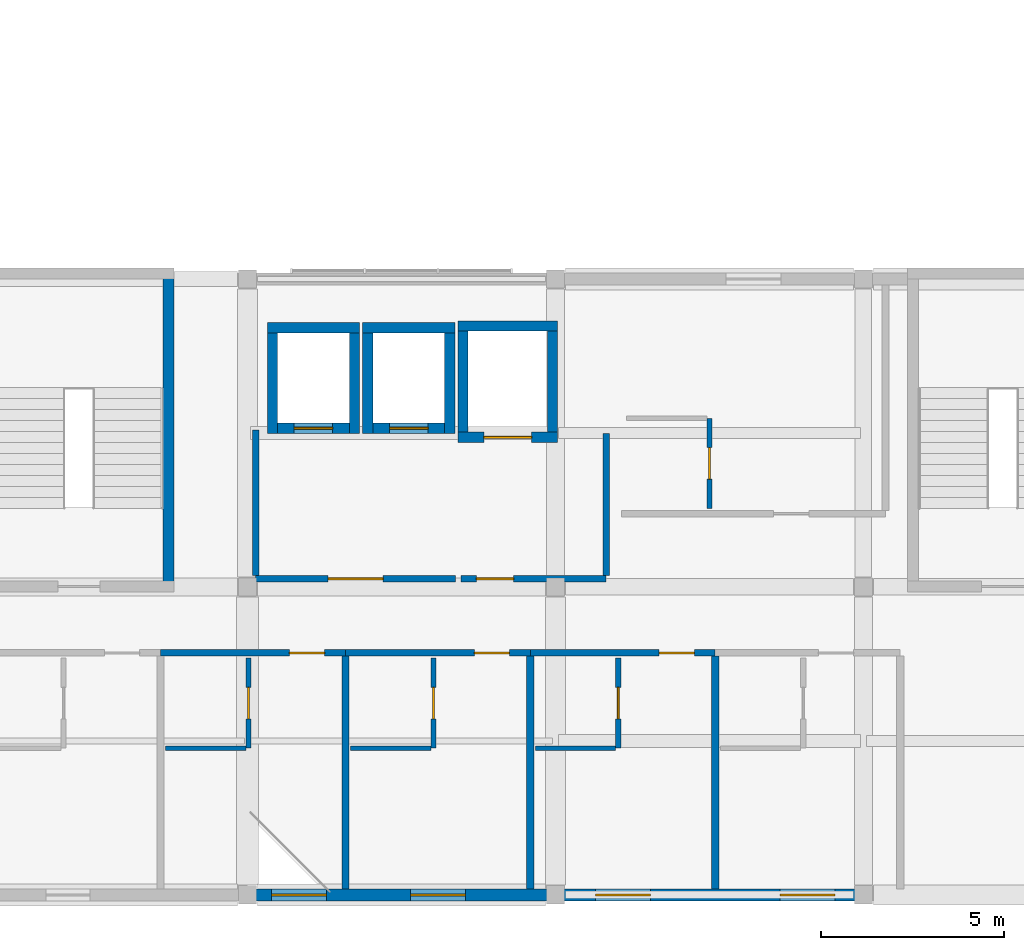
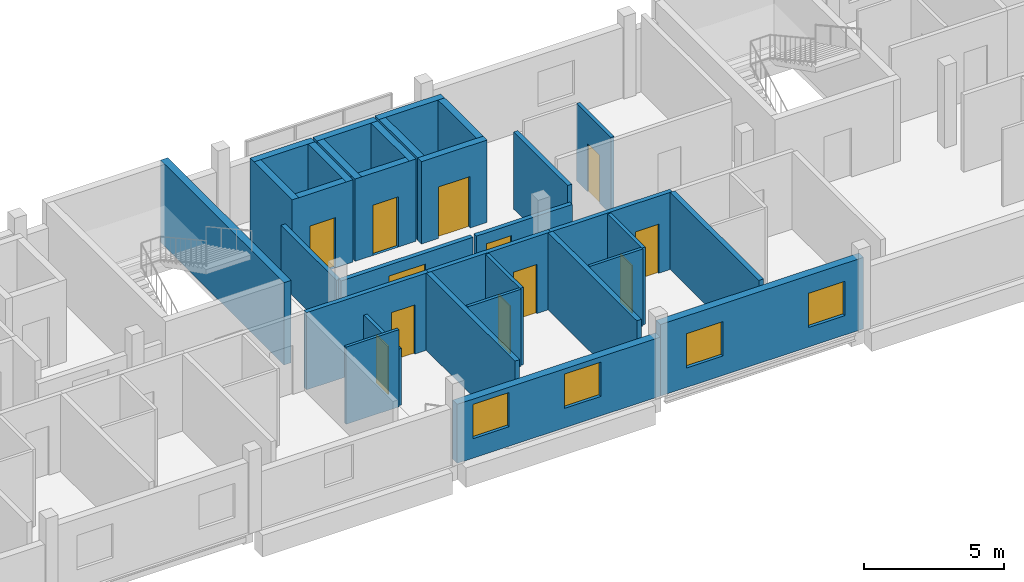
# One storey, part 15 of 20: 32 walls, 12 doors, 4 windows, 16 openings.
"""IFC4 building model written with IfcOpenShell, lengths in metres."""

from ifc_helpers import new_model, si_unit, derived_unit, direction, frame, frame_2d, origin, place, context, subcontext, project, spatial, rectangle, extrude, material, layer, layer_set, type_object, element, fill, save


model = new_model("IFC4")

# Units and contexts
model_context = context("Model", 3, precision=1e-05, world=origin(), true_north=direction((0.0, 1.0)))
body_context = subcontext(model_context, "Body", "Model", "MODEL_VIEW")
ifc_project = project(units=[si_unit("LENGTHUNIT", "METRE"), si_unit("AREAUNIT", "SQUARE_METRE"), si_unit("VOLUMEUNIT", "CUBIC_METRE"), si_unit("PLANEANGLEUNIT", "RADIAN"), si_unit("MASSUNIT", "GRAM", prefix="KILO"), derived_unit("THERMALTRANSMITTANCEUNIT", [(si_unit("POWERUNIT", "WATT"), 1), (si_unit("LENGTHUNIT", "METRE"), -2), (si_unit("THERMODYNAMICTEMPERATUREUNIT", "KELVIN"), -1)])], contexts=[model_context])

# Site, building, storey
site_placement = place(None, origin())
site = spatial("IfcSite", under=ifc_project, at=site_placement, CompositionType="ELEMENT")
building_placement = place(site_placement, origin())
building = spatial("IfcBuilding", under=site, at=building_placement, Name="Barrovel Congress Hotel", CompositionType="ELEMENT")
storey_placement = place(building_placement, frame((0.0, 0.0, 39.89990234375)))
storey = spatial("IfcBuildingStorey", under=building, at=storey_placement, Name="L10", CompositionType="ELEMENT", Elevation=39.89990234375)

# Wall, openings, windows
ifc_material_1 = material(Name="Fired Clay Brick Masonry", Category="masonry")
ifc_layer_1 = layer(ifc_material_1, 0.320068359375)
ifc_layer_set_1 = layer_set([ifc_layer_1], Name="Fired Clay Brick Masonry")
wall_type_1 = type_object("IfcWallType", Name="EW-BRK320", PredefinedType="STANDARD", material=ifc_layer_set_1)
wall_1_placement = place(storey_placement, frame((84.0, 4.199951171875, 0.0), z_axis=(0.0, 0.0, 1.0), x_axis=(1.0, 0.0, 0.0)))
wall_1 = element("IfcWall", 1, at=wall_1_placement, inside=storey, type_object=wall_type_1, Name="EW:L10:HS-S:P08", PredefinedType="STANDARD", context=body_context, shape_type="SweptSolid", body=[
    extrude(rectangle(XDim=8.39990234375, YDim=0.320068359375, at=frame_2d((4.199951171875, 0.0))), origin(), (0.0, 0.0, 1.0), 2.580078125),
])
opening_1_placement = place(wall_1_placement, frame((0.64990234375, 0.0, 0.85009765625)))
opening_1 = element("IfcOpeningElement", 2, at=opening_1_placement, cuts=wall_1, Name="Opening WN-07", PredefinedType="OPENING", context=body_context, shape_type="SweptSolid", body=[
    extrude(rectangle(XDim=1.5, YDim=1.5, at=frame_2d((0.75, 0.75))), frame((0.0, 0.169921875, 0.0), z_axis=(0.0, -1.0, 0.0), x_axis=(1.0, 0.0, 0.0)), (0.0, 0.0, 1.0), 0.340087890625),
])
opening_2_placement = place(wall_1_placement, frame((4.44287109375, 0.0, 0.85009765625)))
opening_2 = element("IfcOpeningElement", 3, at=opening_2_placement, cuts=wall_1, Name="Opening WN-07", PredefinedType="OPENING", context=body_context, shape_type="SweptSolid", body=[
    extrude(rectangle(XDim=1.5, YDim=1.5, at=frame_2d((0.75, 0.75))), frame((0.0, 0.169921875, 0.0), z_axis=(0.0, -1.0, 0.0), x_axis=(1.0, 0.0, 0.0)), (0.0, 0.0, 1.0), 0.340087890625),
])
ifc_material_2 = material(Name="Double Low-E Insulated Glazing", Category="glass")
window_type = type_object("IfcWindowType", Name="WIN-WN-07", PartitioningType="SINGLE_PANEL", PredefinedType="WINDOW", material=ifc_material_2)
window_1_placement = place(opening_1_placement, origin())
window_1 = element("IfcWindow", 4, at=window_1_placement, inside=storey, type_object=window_type, Name="WIN:L10:U12", OverallHeight=1.5, OverallWidth=1.5, PartitioningType="SINGLE_PANEL", PredefinedType="WINDOW", context=body_context, shape_type="SweptSolid", body=[
    extrude(rectangle(XDim=1.5, YDim=1.5, at=frame_2d((0.75, 0.75))), frame((0.0, 0.030029296875, 0.0), z_axis=(0.0, -1.0, 0.0), x_axis=(1.0, 0.0, 0.0)), (0.0, 0.0, 1.0), 0.06005859375),
])
fill(opening_1, window_1)
window_2_placement = place(opening_2_placement, origin())
window_2 = element("IfcWindow", 5, at=window_2_placement, inside=storey, type_object=window_type, Name="WIN:L10:U13", OverallHeight=1.5, OverallWidth=1.5, PartitioningType="SINGLE_PANEL", PredefinedType="WINDOW", context=body_context, shape_type="SweptSolid", body=[
    extrude(rectangle(XDim=1.5, YDim=1.5, at=frame_2d((0.75, 0.75))), frame((0.0, 0.030029296875, 0.0), z_axis=(0.0, -1.0, 0.0), x_axis=(1.0, 0.0, 0.0)), (0.0, 0.0, 1.0), 0.06005859375),
])
fill(opening_2, window_2)

wall_2_placement = place(storey_placement, frame((92.39990234375, 4.199951171875, 0.0), z_axis=(0.0, 0.0, 1.0), x_axis=(1.0, 0.0, 0.0)))
wall_2 = element("IfcWall", 6, at=wall_2_placement, inside=storey, type_object=wall_type_1, Name="EW:L10:HS-S:P09", PredefinedType="STANDARD", context=body_context, shape_type="SweptSolid", body=[
    extrude(rectangle(XDim=8.400146484375, YDim=0.320068359375, at=frame_2d((4.2001953125, 0.0))), origin(), (0.0, 0.0, 1.0), 3.1259765625),
])
opening_3_placement = place(wall_2_placement, frame((1.085693359375, 0.0, 0.85009765625)))
opening_3 = element("IfcOpeningElement", 7, at=opening_3_placement, cuts=wall_2, Name="Opening WN-07", PredefinedType="OPENING", context=body_context, shape_type="SweptSolid", body=[
    extrude(rectangle(XDim=1.5, YDim=1.5, at=frame_2d((0.75, 0.75))), frame((0.0, 0.169921875, 0.0), z_axis=(0.0, -1.0, 0.0), x_axis=(1.0, 0.0, 0.0)), (0.0, 0.0, 1.0), 0.340087890625),
])
opening_4_placement = place(wall_2_placement, frame((6.12841796875, 0.0, 0.85009765625)))
opening_4 = element("IfcOpeningElement", 8, at=opening_4_placement, cuts=wall_2, Name="Opening WN-07", PredefinedType="OPENING", context=body_context, shape_type="SweptSolid", body=[
    extrude(rectangle(XDim=1.5, YDim=1.5, at=frame_2d((0.75, 0.75))), frame((0.0, 0.169921875, 0.0), z_axis=(0.0, -1.0, 0.0), x_axis=(1.0, 0.0, 0.0)), (0.0, 0.0, 1.0), 0.340087890625),
])
window_3_placement = place(opening_3_placement, origin())
window_3 = element("IfcWindow", 9, at=window_3_placement, inside=storey, type_object=window_type, Name="WIN:L10:U14", OverallHeight=1.5, OverallWidth=1.5, PartitioningType="SINGLE_PANEL", PredefinedType="WINDOW", context=body_context, shape_type="SweptSolid", body=[
    extrude(rectangle(XDim=1.5, YDim=1.5, at=frame_2d((0.75, 0.75))), frame((0.0, 0.030029296875, 0.0), z_axis=(0.0, -1.0, 0.0), x_axis=(1.0, 0.0, 0.0)), (0.0, 0.0, 1.0), 0.06005859375),
])
fill(opening_3, window_3)
window_4_placement = place(opening_4_placement, origin())
window_4 = element("IfcWindow", 10, at=window_4_placement, inside=storey, type_object=window_type, Name="WIN:L10:U15", OverallHeight=1.5, OverallWidth=1.5, PartitioningType="SINGLE_PANEL", PredefinedType="WINDOW", context=body_context, shape_type="SweptSolid", body=[
    extrude(rectangle(XDim=1.5, YDim=1.5, at=frame_2d((0.75, 0.75))), frame((0.0, 0.030029296875, 0.0), z_axis=(0.0, -1.0, 0.0), x_axis=(1.0, 0.0, 0.0)), (0.0, 0.0, 1.0), 0.06005859375),
])
fill(opening_4, window_4)

# Wall, opening, door
ifc_material_3 = material(Name="Gypsum Acoustic Stud", Category="gypsum")
ifc_layer_2 = layer(ifc_material_3, 0.179931640625)
ifc_layer_set_2 = layer_set([ifc_layer_2], Name="Gypsum Acoustic Stud")
wall_type_2 = type_object("IfcWallType", Name="PW-ACU-180", PredefinedType="PARTITIONING", material=ifc_layer_set_2)
wall_3_placement = place(storey_placement, frame((81.628662109375, 10.800048828125, 0.0), z_axis=(0.0, 0.0, 1.0), x_axis=(1.0, 0.0, 0.0)))
wall_3 = element("IfcWall", 11, at=wall_3_placement, inside=storey, type_object=wall_type_2, Name="PW:L10:U12:COR", PredefinedType="PARTITIONING", context=body_context, shape_type="SweptSolid", body=[
    extrude(rectangle(XDim=5.042724609375, YDim=0.179931640625, at=frame_2d((2.521484375, 0.0))), origin(), (0.0, 0.0, 1.0), 3.375),
])
opening_5_placement = place(wall_3_placement, frame((3.513427734375, 0.0, 0.0)))
opening_5 = element("IfcOpeningElement", 12, at=opening_5_placement, cuts=wall_3, Name="Opening ID-HTL", PredefinedType="OPENING", context=body_context, shape_type="SweptSolid", body=[
    extrude(rectangle(XDim=0.9599609375, YDim=2.14990234375, at=frame_2d((0.47998046875, 1.074951171875))), frame((0.0, 0.10009765625, 0.0), z_axis=(0.0, -1.0, 0.0), x_axis=(1.0, 0.0, 0.0)), (0.0, 0.0, 1.0), 0.199951171875),
])
ifc_material_4 = material(Name="Solid Oak Acoustic Timber Door", Category="wood")
door_type_1 = type_object("IfcDoorType", Name="IDR-ID-HTL", OperationType="NOTDEFINED", PredefinedType="DOOR", material=ifc_material_4)
door_1_placement = place(opening_5_placement, origin())
door_1 = element("IfcDoor", 13, at=door_1_placement, inside=storey, type_object=door_type_1, Name="DR:L10:U12:ENT", OperationType="SINGLE_SWING_RIGHT", OverallHeight=2.14990234375, OverallWidth=0.9599609375, PredefinedType="DOOR", context=body_context, shape_type="SweptSolid", body=[
    extrude(rectangle(XDim=0.9599609375, YDim=2.14990234375, at=frame_2d((0.47998046875, 1.074951171875))), frame((0.0, 0.02490234375, 0.0), z_axis=(0.0, -1.0, 0.0), x_axis=(1.0, 0.0, 0.0)), (0.0, 0.0, 1.0), 0.050048828125),
])
fill(opening_5, door_1)

wall_4_placement = place(storey_placement, frame((86.67138671875, 10.800048828125, 0.0), z_axis=(0.0, 0.0, 1.0), x_axis=(1.0, 0.0, 0.0)))
wall_4 = element("IfcWall", 14, at=wall_4_placement, inside=storey, type_object=wall_type_2, Name="PW:L10:U13:COR", PredefinedType="PARTITIONING", context=body_context, shape_type="SweptSolid", body=[
    extrude(rectangle(XDim=5.04296875, YDim=0.179931640625, at=frame_2d((2.521484375, 0.0))), origin(), (0.0, 0.0, 1.0), 3.375),
])
opening_6_placement = place(wall_4_placement, frame((3.513671875, 0.0, 0.0)))
opening_6 = element("IfcOpeningElement", 15, at=opening_6_placement, cuts=wall_4, Name="Opening ID-HTL", PredefinedType="OPENING", context=body_context, shape_type="SweptSolid", body=[
    extrude(rectangle(XDim=0.9599609375, YDim=2.14990234375, at=frame_2d((0.47998046875, 1.074951171875))), frame((0.0, 0.10009765625, 0.0), z_axis=(0.0, -1.0, 0.0), x_axis=(1.0, 0.0, 0.0)), (0.0, 0.0, 1.0), 0.199951171875),
])
door_2_placement = place(opening_6_placement, origin())
door_2 = element("IfcDoor", 16, at=door_2_placement, inside=storey, type_object=door_type_1, Name="DR:L10:U13:ENT", OperationType="SINGLE_SWING_RIGHT", OverallHeight=2.14990234375, OverallWidth=0.9599609375, PredefinedType="DOOR", context=body_context, shape_type="SweptSolid", body=[
    extrude(rectangle(XDim=0.9599609375, YDim=2.14990234375, at=frame_2d((0.47998046875, 1.074951171875))), frame((0.0, 0.02490234375, 0.0), z_axis=(0.0, -1.0, 0.0), x_axis=(1.0, 0.0, 0.0)), (0.0, 0.0, 1.0), 0.050048828125),
])
fill(opening_6, door_2)

wall_5_placement = place(storey_placement, frame((91.71435546875, 10.800048828125, 0.0), z_axis=(0.0, 0.0, 1.0), x_axis=(1.0, 0.0, 0.0)))
wall_5 = element("IfcWall", 17, at=wall_5_placement, inside=storey, type_object=wall_type_2, Name="PW:L10:U14:COR", PredefinedType="PARTITIONING", context=body_context, shape_type="SweptSolid", body=[
    extrude(rectangle(XDim=5.042724609375, YDim=0.179931640625, at=frame_2d((2.521484375, 0.0))), origin(), (0.0, 0.0, 1.0), 3.375),
])
opening_7_placement = place(wall_5_placement, frame((3.513427734375, 0.0, 0.0)))
opening_7 = element("IfcOpeningElement", 18, at=opening_7_placement, cuts=wall_5, Name="Opening ID-HTL", PredefinedType="OPENING", context=body_context, shape_type="SweptSolid", body=[
    extrude(rectangle(XDim=0.9599609375, YDim=2.14990234375, at=frame_2d((0.47998046875, 1.074951171875))), frame((0.0, 0.10009765625, 0.0), z_axis=(0.0, -1.0, 0.0), x_axis=(1.0, 0.0, 0.0)), (0.0, 0.0, 1.0), 0.199951171875),
])
door_3_placement = place(opening_7_placement, origin())
door_3 = element("IfcDoor", 19, at=door_3_placement, inside=storey, type_object=door_type_1, Name="DR:L10:U14:ENT", OperationType="SINGLE_SWING_RIGHT", OverallHeight=2.14990234375, OverallWidth=0.9599609375, PredefinedType="DOOR", context=body_context, shape_type="SweptSolid", body=[
    extrude(rectangle(XDim=0.9599609375, YDim=2.14990234375, at=frame_2d((0.47998046875, 1.074951171875))), frame((0.0, 0.02490234375, 0.0), z_axis=(0.0, -1.0, 0.0), x_axis=(1.0, 0.0, 0.0)), (0.0, 0.0, 1.0), 0.050048828125),
])
fill(opening_7, door_3)

wall_6_placement = place(storey_placement, frame((84.219970703125, 12.820068359375, 0.0), z_axis=(0.0, 0.0, 1.0), x_axis=(1.0, 0.0, 0.0)))
wall_6 = element("IfcWall", 20, at=wall_6_placement, inside=storey, type_object=wall_type_2, Name="RW:SP:L10:LL-C2:S", PredefinedType="PARTITIONING", context=body_context, shape_type="SweptSolid", body=[
    extrude(rectangle(XDim=5.4599609375, YDim=0.179931640625, at=frame_2d((2.72998046875, 0.0))), origin(), (0.0, 0.0, 1.0), 2.630126953125),
])
opening_8_placement = place(wall_6_placement, frame((1.97998046875, 0.0, 0.0)))
opening_8 = element("IfcOpeningElement", 21, at=opening_8_placement, cuts=wall_6, Name="Opening ID-FFL", PredefinedType="OPENING", context=body_context, shape_type="SweptSolid", body=[
    extrude(rectangle(XDim=1.5, YDim=2.14990234375, at=frame_2d((0.75, 1.074951171875))), frame((0.0, 0.10009765625, 0.0), z_axis=(0.0, -1.0, 0.0), x_axis=(1.0, 0.0, 0.0)), (0.0, 0.0, 1.0), 0.199951171875),
])
ifc_material_5 = material(Name="Painted Hollow-Metal Steel Door", Category="steel")
door_type_2 = type_object("IfcDoorType", Name="IDR-ID-FFL", OperationType="NOTDEFINED", PredefinedType="DOOR", material=ifc_material_5)
door_4_placement = place(opening_8_placement, origin())
door_4 = element("IfcDoor", 22, at=door_4_placement, inside=storey, type_object=door_type_2, Name="RD:SP:L10:LL-C2", OperationType="DOUBLE_DOOR_SINGLE_SWING", OverallHeight=2.14990234375, OverallWidth=1.5, PredefinedType="DOOR", context=body_context, shape_type="SweptSolid", body=[
    extrude(rectangle(XDim=1.5, YDim=2.14990234375, at=frame_2d((0.75, 1.074951171875))), frame((0.0, 0.02490234375, 0.0), z_axis=(0.0, -1.0, 0.0), x_axis=(1.0, 0.0, 0.0)), (0.0, 0.0, 1.0), 0.050048828125),
])
fill(opening_8, door_4)

# Wall
wall_7_placement = place(storey_placement, frame((84.219970703125, 12.909912109375, 0.0), z_axis=(0.0, 0.0, 1.0), x_axis=(0.0, 1.0, 0.0)))
element("IfcWall", 23, at=wall_7_placement, inside=storey, type_object=wall_type_2, Name="RW:SP:L10:LL-C2:W", PredefinedType="PARTITIONING", context=body_context, shape_type="SweptSolid", body=[
    extrude(rectangle(XDim=3.969970703125, YDim=0.179931640625, at=frame_2d((1.98486328125, 0.0))), origin(), (0.0, 0.0, 1.0), 2.580078125),
])

# Wall, opening, door
wall_8_placement = place(storey_placement, frame((89.820068359375, 12.820068359375, 0.0), z_axis=(0.0, 0.0, 1.0), x_axis=(1.0, 0.0, 0.0)))
wall_8 = element("IfcWall", 24, at=wall_8_placement, inside=storey, type_object=wall_type_2, Name="RW:SP:L10:LL-SL2:S", PredefinedType="PARTITIONING", context=body_context, shape_type="SweptSolid", body=[
    extrude(rectangle(XDim=3.9599609375, YDim=0.179931640625, at=frame_2d((1.97998046875, 0.0))), origin(), (0.0, 0.0, 1.0), 2.630126953125),
])
opening_9_placement = place(wall_8_placement, frame((0.419921875, 0.0, 0.0)))
opening_9 = element("IfcOpeningElement", 25, at=opening_9_placement, cuts=wall_8, Name="Opening ID-ACC", PredefinedType="OPENING", context=body_context, shape_type="SweptSolid", body=[
    extrude(rectangle(XDim=1.02001953125, YDim=2.14990234375, at=frame_2d((0.510009765625, 1.074951171875))), frame((0.0, 0.10009765625, 0.0), z_axis=(0.0, -1.0, 0.0), x_axis=(1.0, 0.0, 0.0)), (0.0, 0.0, 1.0), 0.199951171875),
])
door_type_3 = type_object("IfcDoorType", Name="IDR-ID-ACC", OperationType="NOTDEFINED", PredefinedType="DOOR", material=ifc_material_4)
door_5_placement = place(opening_9_placement, origin())
door_5 = element("IfcDoor", 26, at=door_5_placement, inside=storey, type_object=door_type_3, Name="RD:SP:L10:LL-SL2", OperationType="SINGLE_SWING_RIGHT", OverallHeight=2.14990234375, OverallWidth=1.02001953125, PredefinedType="DOOR", context=body_context, shape_type="SweptSolid", body=[
    extrude(rectangle(XDim=1.02001953125, YDim=2.14990234375, at=frame_2d((0.510009765625, 1.074951171875))), frame((0.0, 0.02490234375, 0.0), z_axis=(0.0, -1.0, 0.0), x_axis=(1.0, 0.0, 0.0)), (0.0, 0.0, 1.0), 0.050048828125),
])
fill(opening_9, door_5)

# Walls
wall_9_placement = place(storey_placement, frame((93.780029296875, 12.909912109375, 0.0), z_axis=(0.0, 0.0, 1.0), x_axis=(0.0, 1.0, 0.0)))
element("IfcWall", 27, at=wall_9_placement, inside=storey, type_object=wall_type_2, Name="RW:SP:L10:LL-SL2:E", PredefinedType="PARTITIONING", context=body_context, shape_type="SweptSolid", body=[
    extrude(rectangle(XDim=3.8701171875, YDim=0.179931640625, at=frame_2d((1.93505859375, 0.0))), origin(), (0.0, 0.0, 1.0), 3.375),
])
ifc_layer_3 = layer(ifc_material_3, 0.1201171875)
ifc_layer_set_3 = layer_set([ifc_layer_3], Name="Gypsum Acoustic Stud")
wall_type_3 = type_object("IfcWallType", Name="PW-INT-120", PredefinedType="PARTITIONING", material=ifc_layer_set_3)
wall_10_placement = place(storey_placement, frame((81.7685546875, 8.199951171875, 0.0), z_axis=(0.0, 0.0, 1.0), x_axis=(1.0, 0.0, 0.0)))
element("IfcWall", 28, at=wall_10_placement, inside=storey, type_object=wall_type_3, Name="PW:L10:U12:B2", PredefinedType="PARTITIONING", context=body_context, shape_type="SweptSolid", body=[
    extrude(rectangle(XDim=2.18994140625, YDim=0.1201171875, at=frame_2d((1.094970703125, 0.0))), origin(), (0.0, 0.0, 1.0), 3.375),
])
wall_11_placement = place(storey_placement, frame((86.811279296875, 8.199951171875, 0.0), z_axis=(0.0, 0.0, 1.0), x_axis=(1.0, 0.0, 0.0)))
element("IfcWall", 29, at=wall_11_placement, inside=storey, type_object=wall_type_3, Name="PW:L10:U13:B2", PredefinedType="PARTITIONING", context=body_context, shape_type="SweptSolid", body=[
    extrude(rectangle(XDim=2.190185546875, YDim=0.1201171875, at=frame_2d((1.09521484375, 0.0))), origin(), (0.0, 0.0, 1.0), 3.375),
])
wall_12_placement = place(storey_placement, frame((91.854248046875, 8.199951171875, 0.0), z_axis=(0.0, 0.0, 1.0), x_axis=(1.0, 0.0, 0.0)))
element("IfcWall", 30, at=wall_12_placement, inside=storey, type_object=wall_type_3, Name="PW:L10:U14:B2", PredefinedType="PARTITIONING", context=body_context, shape_type="SweptSolid", body=[
    extrude(rectangle(XDim=2.18994140625, YDim=0.1201171875, at=frame_2d((1.094970703125, 0.0))), origin(), (0.0, 0.0, 1.0), 3.375),
])
ifc_layer_4 = layer(ifc_material_1, 0.199951171875)
ifc_layer_set_4 = layer_set([ifc_layer_4], Name="Fired Clay Brick Masonry")
wall_type_4 = type_object("IfcWallType", Name="PW-MAS-200", PredefinedType="PARTITIONING", material=ifc_layer_set_4)
for number, where, z_axis, x_axis, name in (
    (31, (86.67138671875, 4.360107421875, 0.0), (0.0, 0.0, 1.0), (0.0, 1.0, 0.0), "PW:L10:U12:DEM"),
    (32, (91.71435546875, 4.360107421875, 0.0), (0.0, 0.0, 1.0), (0.0, 1.0, 0.0), "PW:L10:U13:DEM"),
    (33, (96.757080078125, 4.360107421875, 0.0), (0.0, 0.0, 1.0), (0.0, 1.0, 0.0), "PW:L10:U14:DEM"),
):
    element("IfcWall", number, at=place(storey_placement, frame(where, z_axis=z_axis, x_axis=x_axis)), inside=storey, type_object=wall_type_4, Name=name, PredefinedType="PARTITIONING", context=body_context, shape_type="SweptSolid", body=[
        extrude(rectangle(XDim=6.349853515625, YDim=0.199951171875, at=frame_2d((3.1748046875, 0.0))), origin(), (0.0, 0.0, 1.0), 3.375),
    ])

# Wall, opening, door
ifc_material_6 = material(Name="Gypsum Moisture Board", Category="gypsum")
ifc_layer_5 = layer(ifc_material_6, 0.139892578125)
ifc_layer_set_5 = layer_set([ifc_layer_5], Name="Gypsum Moisture Board")
wall_type_5 = type_object("IfcWallType", Name="PW-WET-140", PredefinedType="PARTITIONING", material=ifc_layer_set_5)
wall_13_placement = place(storey_placement, frame((84.028564453125, 8.199951171875, 0.0), z_axis=(0.0, 0.0, 1.0), x_axis=(0.0, 1.0, 0.0)))
wall_13 = element("IfcWall", 34, at=wall_13_placement, inside=storey, type_object=wall_type_5, Name="PW:L10:U12:B1", PredefinedType="PARTITIONING", context=body_context, shape_type="SweptSolid", body=[
    extrude(rectangle(XDim=2.4599609375, YDim=0.139892578125, at=frame_2d((1.22998046875, 0.0))), origin(), (0.0, 0.0, 1.0), 2.47998046875),
])
opening_10_placement = place(wall_13_placement, frame((0.800048828125, 0.0, 0.0)))
opening_10 = element("IfcOpeningElement", 35, at=opening_10_placement, cuts=wall_13, Name="Opening ID-ENS", PredefinedType="OPENING", context=body_context, shape_type="SweptSolid", body=[
    extrude(rectangle(XDim=0.860107421875, YDim=2.10009765625, at=frame_2d((0.43017578125, 1.050048828125))), frame((0.0, 0.080078125, 0.0), z_axis=(0.0, -1.0, 0.0), x_axis=(1.0, 0.0, 0.0)), (0.0, 0.0, 1.0), 0.159912109375),
])
ifc_material_7 = material(Name="Lacquered Timber Moisture Door", Category="wood")
door_type_4 = type_object("IfcDoorType", Name="IDR-ID-ENS", OperationType="NOTDEFINED", PredefinedType="DOOR", material=ifc_material_7)
door_6_placement = place(opening_10_placement, origin())
door_6 = element("IfcDoor", 36, at=door_6_placement, inside=storey, type_object=door_type_4, Name="DR:L10:U12:ENS", OperationType="SINGLE_SWING_LEFT", OverallHeight=2.10009765625, OverallWidth=0.860107421875, PredefinedType="DOOR", context=body_context, shape_type="SweptSolid", body=[
    extrude(rectangle(XDim=0.860107421875, YDim=2.10009765625, at=frame_2d((0.43017578125, 1.050048828125))), frame((0.0, 0.02490234375, 0.0), z_axis=(0.0, -1.0, 0.0), x_axis=(1.0, 0.0, 0.0)), (0.0, 0.0, 1.0), 0.050048828125),
])
fill(opening_10, door_6)

wall_14_placement = place(storey_placement, frame((89.0712890625, 8.199951171875, 0.0), z_axis=(0.0, 0.0, 1.0), x_axis=(0.0, 1.0, 0.0)))
wall_14 = element("IfcWall", 37, at=wall_14_placement, inside=storey, type_object=wall_type_5, Name="PW:L10:U13:B1", PredefinedType="PARTITIONING", context=body_context, shape_type="SweptSolid", body=[
    extrude(rectangle(XDim=2.4599609375, YDim=0.139892578125, at=frame_2d((1.22998046875, 0.0))), origin(), (0.0, 0.0, 1.0), 3.375),
])
opening_11_placement = place(wall_14_placement, frame((0.800048828125, 0.0, 0.0)))
opening_11 = element("IfcOpeningElement", 38, at=opening_11_placement, cuts=wall_14, Name="Opening ID-ENS", PredefinedType="OPENING", context=body_context, shape_type="SweptSolid", body=[
    extrude(rectangle(XDim=0.860107421875, YDim=2.10009765625, at=frame_2d((0.43017578125, 1.050048828125))), frame((0.0, 0.080078125, 0.0), z_axis=(0.0, -1.0, 0.0), x_axis=(1.0, 0.0, 0.0)), (0.0, 0.0, 1.0), 0.159912109375),
])
door_7_placement = place(opening_11_placement, origin())
door_7 = element("IfcDoor", 39, at=door_7_placement, inside=storey, type_object=door_type_4, Name="DR:L10:U13:ENS", OperationType="SINGLE_SWING_LEFT", OverallHeight=2.10009765625, OverallWidth=0.860107421875, PredefinedType="DOOR", context=body_context, shape_type="SweptSolid", body=[
    extrude(rectangle(XDim=0.860107421875, YDim=2.10009765625, at=frame_2d((0.43017578125, 1.050048828125))), frame((0.0, 0.02490234375, 0.0), z_axis=(0.0, -1.0, 0.0), x_axis=(1.0, 0.0, 0.0)), (0.0, 0.0, 1.0), 0.050048828125),
])
fill(opening_11, door_7)

wall_15_placement = place(storey_placement, frame((94.1142578125, 8.199951171875, 0.0), z_axis=(0.0, 0.0, 1.0), x_axis=(0.0, 1.0, 0.0)))
wall_15 = element("IfcWall", 40, at=wall_15_placement, inside=storey, type_object=wall_type_5, Name="PW:L10:U14:B1", PredefinedType="PARTITIONING", context=body_context, shape_type="SweptSolid", body=[
    extrude(rectangle(XDim=2.4599609375, YDim=0.139892578125, at=frame_2d((1.22998046875, 0.0))), origin(), (0.0, 0.0, 1.0), 3.375),
])
opening_12_placement = place(wall_15_placement, frame((0.800048828125, 0.0, 0.0)))
opening_12 = element("IfcOpeningElement", 41, at=opening_12_placement, cuts=wall_15, Name="Opening ID-ENS", PredefinedType="OPENING", context=body_context, shape_type="SweptSolid", body=[
    extrude(rectangle(XDim=0.860107421875, YDim=2.10009765625, at=frame_2d((0.43017578125, 1.050048828125))), frame((0.0, 0.080078125, 0.0), z_axis=(0.0, -1.0, 0.0), x_axis=(1.0, 0.0, 0.0)), (0.0, 0.0, 1.0), 0.159912109375),
])
door_8_placement = place(opening_12_placement, origin())
door_8 = element("IfcDoor", 42, at=door_8_placement, inside=storey, type_object=door_type_4, Name="DR:L10:U14:ENS", OperationType="SINGLE_SWING_LEFT", OverallHeight=2.10009765625, OverallWidth=0.860107421875, PredefinedType="DOOR", context=body_context, shape_type="SweptSolid", body=[
    extrude(rectangle(XDim=0.860107421875, YDim=2.10009765625, at=frame_2d((0.43017578125, 1.050048828125))), frame((0.0, 0.02490234375, 0.0), z_axis=(0.0, -1.0, 0.0), x_axis=(1.0, 0.0, 0.0)), (0.0, 0.0, 1.0), 0.050048828125),
])
fill(opening_12, door_8)

wall_16_placement = place(storey_placement, frame((96.60009765625, 14.739990234375, 0.0), z_axis=(0.0, 0.0, 1.0), x_axis=(0.0, 1.0, 0.0)))
wall_16 = element("IfcWall", 43, at=wall_16_placement, inside=storey, type_object=wall_type_5, Name="PW:L10:U22:B1", PredefinedType="PARTITIONING", context=body_context, shape_type="SweptSolid", body=[
    extrude(rectangle(XDim=2.4599609375, YDim=0.139892578125, at=frame_2d((1.22998046875, 0.0))), origin(), (0.0, 0.0, 1.0), 3.375),
])
opening_13_placement = place(wall_16_placement, frame((0.800048828125, 0.0, 0.0)))
opening_13 = element("IfcOpeningElement", 44, at=opening_13_placement, cuts=wall_16, Name="Opening ID-ENS", PredefinedType="OPENING", context=body_context, shape_type="SweptSolid", body=[
    extrude(rectangle(XDim=0.860107421875, YDim=2.10009765625, at=frame_2d((0.43017578125, 1.050048828125))), frame((0.0, 0.080078125, 0.0), z_axis=(0.0, -1.0, 0.0), x_axis=(1.0, 0.0, 0.0)), (0.0, 0.0, 1.0), 0.159912109375),
])
door_9_placement = place(opening_13_placement, origin())
door_9 = element("IfcDoor", 45, at=door_9_placement, inside=storey, type_object=door_type_4, Name="DR:L10:U22:ENS", OperationType="SINGLE_SWING_LEFT", OverallHeight=2.10009765625, OverallWidth=0.860107421875, PredefinedType="DOOR", context=body_context, shape_type="SweptSolid", body=[
    extrude(rectangle(XDim=0.860107421875, YDim=2.10009765625, at=frame_2d((0.43017578125, 1.050048828125))), frame((0.0, 0.02490234375, 0.0), z_axis=(0.0, -1.0, 0.0), x_axis=(1.0, 0.0, 0.0)), (0.0, 0.0, 1.0), 0.050048828125),
])
fill(opening_13, door_9)

ifc_material_8 = material(Name="Concrete C40", Category="concrete")
ifc_layer_6 = layer(ifc_material_8, 0.280029296875)
ifc_layer_set_6 = layer_set([ifc_layer_6], Name="Concrete C40")
wall_type_6 = type_object("IfcWallType", Name="SW-C40-280", PredefinedType="SHEAR", material=ifc_layer_set_6)
wall_17_placement = place(storey_placement, frame((84.5400390625, 16.929931640625, 0.0), z_axis=(0.0, 0.0, 1.0), x_axis=(1.0, 0.0, 0.0)))
wall_17 = element("IfcWall", 46, at=wall_17_placement, inside=storey, type_object=wall_type_6, Name="LSH:PL-3:L10:S", PredefinedType="SHEAR", context=body_context, shape_type="SweptSolid", body=[
    extrude(rectangle(XDim=2.52001953125, YDim=0.280029296875, at=frame_2d((1.260009765625, 0.0))), origin(), (0.0, 0.0, 1.0), 3.60009765625),
])
opening_14_placement = place(wall_17_placement, frame((0.735107421875, 0.0, 0.0)))
opening_14 = element("IfcOpeningElement", 47, at=opening_14_placement, cuts=wall_17, Name="Opening LD-PAX", PredefinedType="OPENING", context=body_context, shape_type="SweptSolid", body=[
    extrude(rectangle(XDim=1.050048828125, YDim=2.199951171875, at=frame_2d((0.52490234375, 1.10009765625))), frame((0.0, 0.14990234375, 0.0), z_axis=(0.0, -1.0, 0.0), x_axis=(1.0, 0.0, 0.0)), (0.0, 0.0, 1.0), 0.300048828125),
])
ifc_material_9 = material(Name="Brushed Stainless Steel", Category="steel")
door_type_5 = type_object("IfcDoorType", Name="IDR-LD-PAX", OperationType="NOTDEFINED", PredefinedType="DOOR", material=ifc_material_9)
door_10_placement = place(opening_14_placement, origin())
door_10 = element("IfcDoor", 48, at=door_10_placement, inside=storey, type_object=door_type_5, Name="Lift Landing Door LD-PL-3-L10", OperationType="SLIDING_TO_LEFT", OverallHeight=2.199951171875, OverallWidth=1.050048828125, PredefinedType="DOOR", context=body_context, shape_type="SweptSolid", body=[
    extrude(rectangle(XDim=1.050048828125, YDim=2.199951171875, at=frame_2d((0.52490234375, 1.10009765625))), frame((0.0, 0.02490234375, 0.0), z_axis=(0.0, -1.0, 0.0), x_axis=(1.0, 0.0, 0.0)), (0.0, 0.0, 1.0), 0.050048828125),
])
fill(opening_14, door_10)

# Walls
wall_18_placement = place(storey_placement, frame((86.919921875, 16.7900390625, 0.0), z_axis=(0.0, 0.0, 1.0), x_axis=(0.0, 1.0, 0.0)))
element("IfcWall", 49, at=wall_18_placement, inside=storey, type_object=wall_type_6, Name="LSH:PL-3:L10:E", PredefinedType="SHEAR", context=body_context, shape_type="SweptSolid", body=[
    extrude(rectangle(XDim=3.02001953125, YDim=0.280029296875, at=frame_2d((1.510009765625, 0.0))), origin(), (0.0, 0.0, 1.0), 3.60009765625),
])
wall_19_placement = place(storey_placement, frame((87.06005859375, 19.669921875, 0.0), z_axis=(0.0, 0.0, 1.0), x_axis=(-1.0, 0.0, 0.0)))
element("IfcWall", 50, at=wall_19_placement, inside=storey, type_object=wall_type_6, Name="LSH:PL-3:L10:N", PredefinedType="SHEAR", context=body_context, shape_type="SweptSolid", body=[
    extrude(rectangle(XDim=2.52001953125, YDim=0.280029296875, at=frame_2d((1.260009765625, 0.0))), origin(), (0.0, 0.0, 1.0), 3.60009765625),
])
wall_20_placement = place(storey_placement, frame((84.679931640625, 19.81005859375, 0.0), z_axis=(0.0, 0.0, 1.0), x_axis=(0.0, -1.0, 0.0)))
element("IfcWall", 51, at=wall_20_placement, inside=storey, type_object=wall_type_6, Name="LSH:PL-3:L10:W", PredefinedType="SHEAR", context=body_context, shape_type="SweptSolid", body=[
    extrude(rectangle(XDim=3.02001953125, YDim=0.280029296875, at=frame_2d((1.510009765625, 0.0))), origin(), (0.0, 0.0, 1.0), 3.60009765625),
])

# Wall, opening, door
wall_21_placement = place(storey_placement, frame((87.139892578125, 16.929931640625, 0.0), z_axis=(0.0, 0.0, 1.0), x_axis=(1.0, 0.0, 0.0)))
wall_21 = element("IfcWall", 52, at=wall_21_placement, inside=storey, type_object=wall_type_6, Name="LSH:PL-4:L10:S", PredefinedType="SHEAR", context=body_context, shape_type="SweptSolid", body=[
    extrude(rectangle(XDim=2.52001953125, YDim=0.280029296875, at=frame_2d((1.260009765625, 0.0))), origin(), (0.0, 0.0, 1.0), 3.60009765625),
])
opening_15_placement = place(wall_21_placement, frame((0.735107421875, 0.0, 0.0)))
opening_15 = element("IfcOpeningElement", 53, at=opening_15_placement, cuts=wall_21, Name="Opening LD-PAX", PredefinedType="OPENING", context=body_context, shape_type="SweptSolid", body=[
    extrude(rectangle(XDim=1.050048828125, YDim=2.199951171875, at=frame_2d((0.52490234375, 1.10009765625))), frame((0.0, 0.14990234375, 0.0), z_axis=(0.0, -1.0, 0.0), x_axis=(1.0, 0.0, 0.0)), (0.0, 0.0, 1.0), 0.300048828125),
])
door_11_placement = place(opening_15_placement, origin())
door_11 = element("IfcDoor", 54, at=door_11_placement, inside=storey, type_object=door_type_5, Name="Lift Landing Door LD-PL-4-L10", OperationType="SLIDING_TO_LEFT", OverallHeight=2.199951171875, OverallWidth=1.050048828125, PredefinedType="DOOR", context=body_context, shape_type="SweptSolid", body=[
    extrude(rectangle(XDim=1.050048828125, YDim=2.199951171875, at=frame_2d((0.52490234375, 1.10009765625))), frame((0.0, 0.02490234375, 0.0), z_axis=(0.0, -1.0, 0.0), x_axis=(1.0, 0.0, 0.0)), (0.0, 0.0, 1.0), 0.050048828125),
])
fill(opening_15, door_11)

# Walls
wall_22_placement = place(storey_placement, frame((89.52001953125, 16.7900390625, 0.0), z_axis=(0.0, 0.0, 1.0), x_axis=(0.0, 1.0, 0.0)))
element("IfcWall", 55, at=wall_22_placement, inside=storey, type_object=wall_type_6, Name="LSH:PL-4:L10:E", PredefinedType="SHEAR", context=body_context, shape_type="SweptSolid", body=[
    extrude(rectangle(XDim=3.02001953125, YDim=0.280029296875, at=frame_2d((1.510009765625, 0.0))), origin(), (0.0, 0.0, 1.0), 3.60009765625),
])
wall_23_placement = place(storey_placement, frame((89.659912109375, 19.669921875, 0.0), z_axis=(0.0, 0.0, 1.0), x_axis=(-1.0, 0.0, 0.0)))
element("IfcWall", 56, at=wall_23_placement, inside=storey, type_object=wall_type_6, Name="LSH:PL-4:L10:N", PredefinedType="SHEAR", context=body_context, shape_type="SweptSolid", body=[
    extrude(rectangle(XDim=2.52001953125, YDim=0.280029296875, at=frame_2d((1.260009765625, 0.0))), origin(), (0.0, 0.0, 1.0), 3.60009765625),
])
wall_24_placement = place(storey_placement, frame((87.280029296875, 19.81005859375, 0.0), z_axis=(0.0, 0.0, 1.0), x_axis=(0.0, -1.0, 0.0)))
element("IfcWall", 57, at=wall_24_placement, inside=storey, type_object=wall_type_6, Name="LSH:PL-4:L10:W", PredefinedType="SHEAR", context=body_context, shape_type="SweptSolid", body=[
    extrude(rectangle(XDim=3.02001953125, YDim=0.280029296875, at=frame_2d((1.510009765625, 0.0))), origin(), (0.0, 0.0, 1.0), 3.60009765625),
])

# Wall, opening, door
wall_25_placement = place(storey_placement, frame((89.739990234375, 16.679931640625, 0.0), z_axis=(0.0, 0.0, 1.0), x_axis=(1.0, 0.0, 0.0)))
wall_25 = element("IfcWall", 58, at=wall_25_placement, inside=storey, type_object=wall_type_6, Name="LSH:SL-2:L10:S", PredefinedType="SHEAR", context=body_context, shape_type="SweptSolid", body=[
    extrude(rectangle(XDim=2.719970703125, YDim=0.280029296875, at=frame_2d((1.35986328125, 0.0))), origin(), (0.0, 0.0, 1.0), 3.60009765625),
])
opening_16_placement = place(wall_25_placement, frame((0.7099609375, 0.0, 0.0)))
opening_16 = element("IfcOpeningElement", 59, at=opening_16_placement, cuts=wall_25, Name="Opening LD-SRV", PredefinedType="OPENING", context=body_context, shape_type="SweptSolid", body=[
    extrude(rectangle(XDim=1.300048828125, YDim=2.25, at=frame_2d((0.64990234375, 1.125))), frame((0.0, 0.14990234375, 0.0), z_axis=(0.0, -1.0, 0.0), x_axis=(1.0, 0.0, 0.0)), (0.0, 0.0, 1.0), 0.300048828125),
])
door_type_6 = type_object("IfcDoorType", Name="IDR-LD-SRV", OperationType="NOTDEFINED", PredefinedType="DOOR", material=ifc_material_9)
door_12_placement = place(opening_16_placement, origin())
door_12 = element("IfcDoor", 60, at=door_12_placement, inside=storey, type_object=door_type_6, Name="Lift Landing Door LD-SL-2-L10", OperationType="SLIDING_TO_LEFT", OverallHeight=2.25, OverallWidth=1.300048828125, PredefinedType="DOOR", context=body_context, shape_type="SweptSolid", body=[
    extrude(rectangle(XDim=1.300048828125, YDim=2.25, at=frame_2d((0.64990234375, 1.125))), frame((0.0, 0.02490234375, 0.0), z_axis=(0.0, -1.0, 0.0), x_axis=(1.0, 0.0, 0.0)), (0.0, 0.0, 1.0), 0.050048828125),
])
fill(opening_16, door_12)

# Walls
wall_26_placement = place(storey_placement, frame((92.320068359375, 16.5400390625, 0.0), z_axis=(0.0, 0.0, 1.0), x_axis=(0.0, 1.0, 0.0)))
element("IfcWall", 61, at=wall_26_placement, inside=storey, type_object=wall_type_6, Name="LSH:SL-2:L10:E", PredefinedType="SHEAR", context=body_context, shape_type="SweptSolid", body=[
    extrude(rectangle(XDim=3.320068359375, YDim=0.280029296875, at=frame_2d((1.66015625, 0.0))), origin(), (0.0, 0.0, 1.0), 3.60009765625),
])
wall_27_placement = place(storey_placement, frame((92.4599609375, 19.719970703125, 0.0), z_axis=(0.0, 0.0, 1.0), x_axis=(-1.0, 0.0, 0.0)))
element("IfcWall", 62, at=wall_27_placement, inside=storey, type_object=wall_type_6, Name="LSH:SL-2:L10:N", PredefinedType="SHEAR", context=body_context, shape_type="SweptSolid", body=[
    extrude(rectangle(XDim=2.719970703125, YDim=0.280029296875, at=frame_2d((1.35986328125, 0.0))), origin(), (0.0, 0.0, 1.0), 3.60009765625),
])
wall_28_placement = place(storey_placement, frame((89.8798828125, 19.860107421875, 0.0), z_axis=(0.0, 0.0, 1.0), x_axis=(0.0, -1.0, 0.0)))
element("IfcWall", 63, at=wall_28_placement, inside=storey, type_object=wall_type_6, Name="LSH:SL-2:L10:W", PredefinedType="SHEAR", context=body_context, shape_type="SweptSolid", body=[
    extrude(rectangle(XDim=3.320068359375, YDim=0.280029296875, at=frame_2d((1.66015625, 0.0))), origin(), (0.0, 0.0, 1.0), 3.60009765625),
])
ifc_layer_7 = layer(ifc_material_8, 0.300048828125)
ifc_layer_set_7 = layer_set([ifc_layer_7], Name="Concrete C40")
wall_type_7 = type_object("IfcWallType", Name="SW-C40-300", PredefinedType="SHEAR", material=ifc_layer_set_7)
wall_29_placement = place(storey_placement, frame((81.85009765625, 12.4599609375, 0.0), z_axis=(0.0, 0.0, 1.0), x_axis=(0.0, 1.0, 0.0)))
element("IfcWall", 64, at=wall_29_placement, inside=storey, type_object=wall_type_7, Name="SHW:XS-02:L10:E", PredefinedType="SHEAR", context=body_context, shape_type="SweptSolid", body=[
    extrude(rectangle(XDim=8.840087890625, YDim=0.300048828125, at=frame_2d((4.419921875, 0.0))), origin(), (0.0, 0.0, 1.0), 3.60009765625),
])

save(model, "model.ifc")
